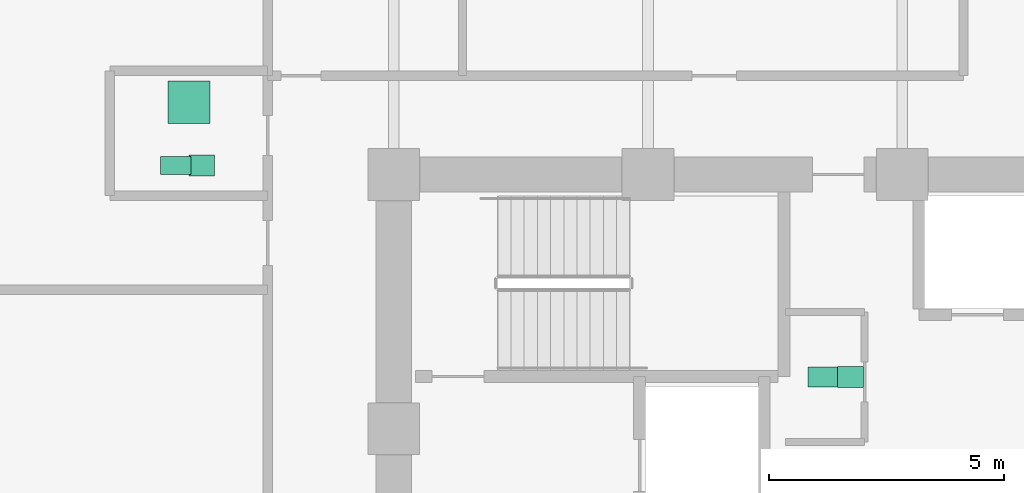
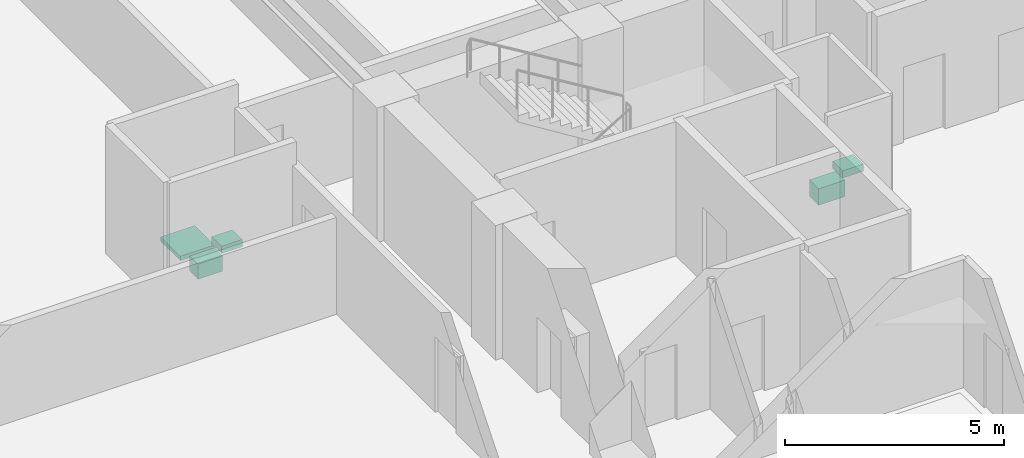
# One storey, part 29 of 29: 5 sanitary terminals.
"""IFC4 building model written with IfcOpenShell, lengths in metres."""

from ifc_helpers import new_model, si_unit, direction, frame, origin, origin_2d, place, context, subcontext, project, spatial, rectangle, extrude, material, type_object, element, save


model = new_model("IFC4")

# Units and contexts
model_context = context("Model", 3, precision=1e-05, world=origin(), true_north=direction((0.0, 1.0)))
body_context = subcontext(model_context, "Body", "Model", "MODEL_VIEW")
ifc_project = project(units=[si_unit("LENGTHUNIT", "METRE"), si_unit("AREAUNIT", "SQUARE_METRE"), si_unit("VOLUMEUNIT", "CUBIC_METRE"), si_unit("PLANEANGLEUNIT", "RADIAN"), si_unit("MASSUNIT", "GRAM", prefix="KILO")], contexts=[model_context])

# Site, building, storey
site_placement = place(None, origin())
site = spatial("IfcSite", under=ifc_project, at=site_placement, CompositionType="ELEMENT")
building_placement = place(site_placement, origin())
building = spatial("IfcBuilding", under=site, at=building_placement, Name="Surkhivell Harbour Commons", CompositionType="ELEMENT")
storey_placement = place(building_placement, frame((0.0, 0.0, 87.0)))
storey = spatial("IfcBuildingStorey", under=building, at=storey_placement, Name="L22", CompositionType="ELEMENT", Elevation=87.0)

# Sanitary terminals
ifc_material_1 = material(Name="Vitreous china washbasin", Category="other")
sanitary_terminal_type_1 = type_object("IfcSanitaryTerminalType", Name="SAN-BSN", PredefinedType="WASHHANDBASIN", material=ifc_material_1)
for number, where, z_axis, x_axis, name in (
    (1, (-1.10009765625, 6.5, 0.72021484375), (0.0, 0.0, 1.0), (1.0, 0.0, 0.0), "L22 Core Accessible WC Washbasin"),
    (2, (-14.8798828125, 10.989990234375, 0.72021484375), (0.0, 0.0, 1.0), (1.0, 0.0, 0.0), "L22 West Communal Bathroom WC Washbasin"),
):
    element("IfcSanitaryTerminal", number, at=place(storey_placement, frame(where, z_axis=z_axis, x_axis=x_axis)), inside=storey, type_object=sanitary_terminal_type_1, Name=name, PredefinedType="WASHHANDBASIN", context=body_context, shape_type="SweptSolid", body=[
        extrude(rectangle(XDim=0.550048828125, YDim=0.449951171875, at=origin_2d()), origin(), (0.0, 0.0, 1.0), 0.199951171875),
    ])
ifc_material_2 = material(Name="Glazed porcelain shower tray", Category="other")
sanitary_terminal_type_2 = type_object("IfcSanitaryTerminalType", Name="SAN-SHW", PredefinedType="SHOWER", material=ifc_material_2)
sanitary_terminal_1_placement = place(storey_placement, frame((-15.14990234375, 12.330078125, 0.0), z_axis=(0.0, 0.0, 1.0), x_axis=(1.0, 0.0, 0.0)))
element("IfcSanitaryTerminal", 3, at=sanitary_terminal_1_placement, inside=storey, type_object=sanitary_terminal_type_2, Name="L22 West Communal Shower Tray", PredefinedType="SHOWER", context=body_context, shape_type="SweptSolid", body=[
    extrude(rectangle(XDim=0.89990234375, YDim=0.89990234375, at=origin_2d()), origin(), (0.0, 0.0, 1.0), 0.1201171875),
])
ifc_material_3 = material(Name="Vitreous china sanitaryware", Category="other")
sanitary_terminal_type_3 = type_object("IfcSanitaryTerminalType", Name="SAN-WC-ACC", PredefinedType="TOILETPAN", material=ifc_material_3)
sanitary_terminal_2_placement = place(storey_placement, frame((-1.64990234375, 6.5, 0.169921875), z_axis=(0.0, 0.0, 1.0), x_axis=(1.0, 0.0, 0.0)))
element("IfcSanitaryTerminal", 4, at=sanitary_terminal_2_placement, inside=storey, type_object=sanitary_terminal_type_3, Name="L22 Core Accessible WC", PredefinedType="TOILETPAN", context=body_context, shape_type="SweptSolid", body=[
    extrude(rectangle(XDim=0.699951171875, YDim=0.419921875, at=origin_2d()), origin(), (0.0, 0.0, 1.0), 0.4599609375),
])
sanitary_terminal_type_4 = type_object("IfcSanitaryTerminalType", Name="SAN-WC-STD", PredefinedType="TOILETPAN", material=ifc_material_3)
sanitary_terminal_3_placement = place(storey_placement, frame((-15.429931640625, 10.989990234375, 0.18994140625), z_axis=(0.0, 0.0, 1.0), x_axis=(1.0, 0.0, 0.0)))
element("IfcSanitaryTerminal", 5, at=sanitary_terminal_3_placement, inside=storey, type_object=sanitary_terminal_type_4, Name="L22 West Communal Bathroom WC", PredefinedType="TOILETPAN", context=body_context, shape_type="SweptSolid", body=[
    extrude(rectangle(XDim=0.64990234375, YDim=0.3798828125, at=origin_2d()), origin(), (0.0, 0.0, 1.0), 0.419921875),
])

save(model, "model.ifc")
